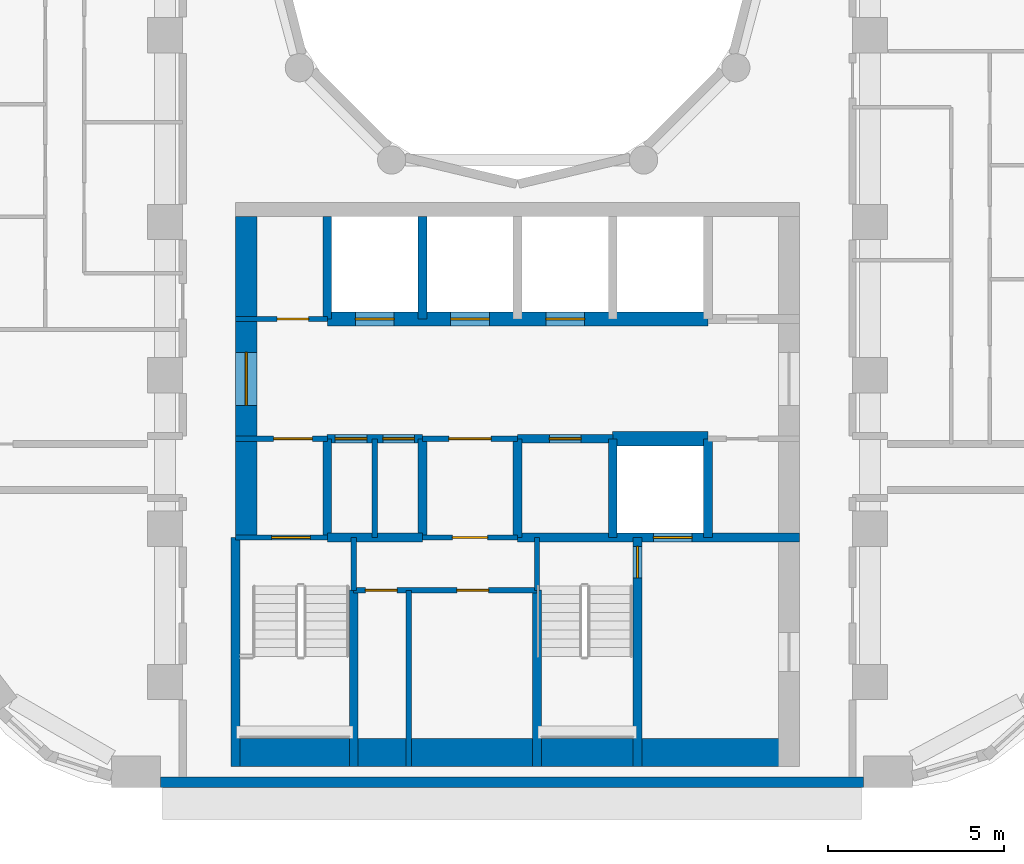
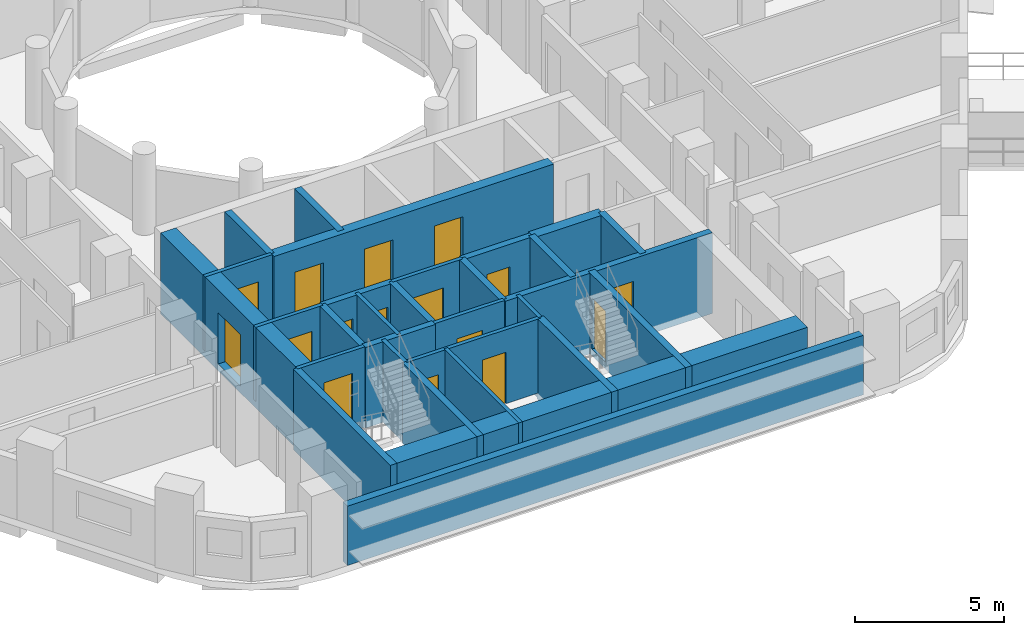
# One storey, part 3 of 14: 30 walls, 16 doors, 16 openings.
"""IFC4 building model written with IfcOpenShell, lengths in metres."""

from ifc_helpers import new_model, si_unit, direction, frame, frame_2d, origin, place, context, subcontext, project, spatial, rectangle, extrude, material, layer, layer_set, type_object, element, fill, save


model = new_model("IFC4")

# Units and contexts
model_context = context("Model", 3, precision=1e-05, world=origin(), true_north=direction((0.0, 1.0)))
body_context = subcontext(model_context, "Body", "Model", "MODEL_VIEW")
ifc_project = project(units=[si_unit("LENGTHUNIT", "METRE"), si_unit("AREAUNIT", "SQUARE_METRE"), si_unit("VOLUMEUNIT", "CUBIC_METRE"), si_unit("PLANEANGLEUNIT", "RADIAN"), si_unit("MASSUNIT", "GRAM", prefix="KILO")], contexts=[model_context])

# Site, building, storey
site_placement = place(None, origin())
site = spatial("IfcSite", under=ifc_project, at=site_placement, CompositionType="ELEMENT")
building_placement = place(site_placement, origin())
building = spatial("IfcBuilding", under=site, at=building_placement, Name="Nakaniwa Court", CompositionType="ELEMENT")
storey_placement = place(building_placement, frame((0.0, 0.0, 107.39990234375)))
storey = spatial("IfcBuildingStorey", under=building, at=storey_placement, Name="L28", CompositionType="ELEMENT", Elevation=107.39990234375)

# Wall
ifc_material_1 = material(Name="Charcoal ceramic cladding")
ifc_layer_1 = layer(ifc_material_1, 0.02, Name="Ceramic cladding")
ifc_material_2 = material(Name="Ventilated air cavity")
ifc_layer_2 = layer(ifc_material_2, 0.04, ventilated=True, Name="Ventilated cavity")
ifc_material_3 = material(Name="Mineral wool insulation")
ifc_layer_3 = layer(ifc_material_3, 0.1, Name="Insulation")
ifc_material_4 = material(Name="Cement bonded sheathing board")
ifc_layer_4 = layer(ifc_material_4, 0.012, Name="Sheathing")
ifc_material_5 = material(Name="Cold-formed galvanised stud frame with mineral wool infill")
ifc_layer_5 = layer(ifc_material_5, 0.1, Name="Stud frame")
ifc_material_6 = material(Name="Fire-rated gypsum plasterboard lining")
ifc_layer_6 = layer(ifc_material_6, 0.028, Name="Lining")
ifc_layer_set_1 = layer_set([ifc_layer_1, ifc_layer_2, ifc_layer_3, ifc_layer_4, ifc_layer_5, ifc_layer_6], Name="Charcoal ceramic faced external wall system")
wall_type_1 = type_object("IfcWallType", Name="Black ceramic faced external wall 300", PredefinedType="SOLIDWALL", material=ifc_layer_set_1)
wall_1_placement = place(storey_placement, frame((69.871337890625, 56.14990234375, 0.0), z_axis=(0.0, 0.0, 1.0), x_axis=(1.0, 0.0, 0.0)))
element("IfcWall", 1, at=wall_1_placement, inside=storey, type_object=wall_type_1, Name="L28 external wall 26", PredefinedType="SOLIDWALL", context=body_context, shape_type="SweptSolid", body=[
    extrude(rectangle(XDim=19.939697265625, YDim=0.300048828125, at=frame_2d((9.9697265625, 0.0))), origin(), (0.0, 0.0, 1.0), 2.425048828125),
])

# Wall, opening, door
ifc_material_7 = material(Name="Blockwork partition", Category="masonry")
ifc_layer_7 = layer(ifc_material_7, 0.14990234375)
ifc_layer_set_2 = layer_set([ifc_layer_7], Name="Blockwork partition")
wall_type_2 = type_object("IfcWallType", Name="Blockwork partition 150", PredefinedType="PARTITIONING", material=ifc_layer_set_2)
wall_2_placement = place(storey_placement, frame((72.0, 69.300048828125, 0.0), z_axis=(0.0, 0.0, 1.0), x_axis=(1.0, 0.0, 0.0)))
wall_2 = element("IfcWall", 2, at=wall_2_placement, inside=storey, type_object=wall_type_2, Name="Partition PW-037", PredefinedType="PARTITIONING", context=body_context, shape_type="SweptSolid", body=[
    extrude(rectangle(XDim=2.60009765625, YDim=0.14990234375, at=frame_2d((1.300048828125, 0.0))), origin(), (0.0, 0.0, 1.0), 3.025146484375),
])
opening_1_placement = place(wall_2_placement, frame((1.175048828125, 0.0, 0.0)))
opening_1 = element("IfcOpeningElement", 3, at=opening_1_placement, cuts=wall_2, Name="Opening D-05-09", PredefinedType="OPENING", context=body_context, shape_type="SweptSolid", body=[
    extrude(rectangle(XDim=0.89990234375, YDim=2.10009765625, at=frame_2d((0.449951171875, 1.050048828125))), frame((0.0, 0.0849609375, 0.0), z_axis=(0.0, -1.0, 0.0), x_axis=(1.0, 0.0, 0.0)), (0.0, 0.0, 1.0), 0.169921875),
])
ifc_material_8 = material(Name="Fire rated steel door set", Category="steel")
door_type_1 = type_object("IfcDoorType", Name="Service room door 900", OperationType="NOTDEFINED", PredefinedType="DOOR", material=ifc_material_8)
door_1_placement = place(opening_1_placement, origin())
door_1 = element("IfcDoor", 4, at=door_1_placement, inside=storey, type_object=door_type_1, Name="Door D-05-09 L28-014", OperationType="SINGLE_SWING_LEFT", OverallHeight=2.10009765625, OverallWidth=0.89990234375, PredefinedType="DOOR", context=body_context, shape_type="SweptSolid", body=[
    extrude(rectangle(XDim=0.89990234375, YDim=2.10009765625, at=frame_2d((0.449951171875, 1.050048828125))), frame((0.0, 0.02490234375, 0.0), z_axis=(0.0, -1.0, 0.0), x_axis=(1.0, 0.0, 0.0)), (0.0, 0.0, 1.0), 0.050048828125),
])
fill(opening_1, door_1)

wall_3_placement = place(storey_placement, frame((74.60302734375, 65.89990234375, 0.0), z_axis=(0.0, 0.0, 1.0), x_axis=(-1.0, 0.0, 0.0)))
wall_3 = element("IfcWall", 5, at=wall_3_placement, inside=storey, type_object=wall_type_2, Name="Partition PW-050", PredefinedType="PARTITIONING", context=body_context, shape_type="SweptSolid", body=[
    extrude(rectangle(XDim=2.60302734375, YDim=0.14990234375, at=frame_2d((1.301513671875, 0.0))), origin(), (0.0, 0.0, 1.0), 3.025146484375),
])
opening_2_placement = place(wall_3_placement, frame((0.427978515625, 0.0, 0.0)))
opening_2 = element("IfcOpeningElement", 6, at=opening_2_placement, cuts=wall_3, Name="Opening D-08-02", PredefinedType="OPENING", context=body_context, shape_type="SweptSolid", body=[
    extrude(rectangle(XDim=1.10009765625, YDim=2.10009765625, at=frame_2d((0.550048828125, 1.050048828125))), frame((0.0, 0.0849609375, 0.0), z_axis=(0.0, -1.0, 0.0), x_axis=(1.0, 0.0, 0.0)), (0.0, 0.0, 1.0), 0.169921875),
])
door_type_2 = type_object("IfcDoorType", Name="Stair lobby door 1100", OperationType="NOTDEFINED", PredefinedType="DOOR", material=ifc_material_8)
door_2_placement = place(opening_2_placement, origin())
door_2 = element("IfcDoor", 7, at=door_2_placement, inside=storey, type_object=door_type_2, Name="Door D-08-02 L28-016", OperationType="SINGLE_SWING_LEFT", OverallHeight=2.10009765625, OverallWidth=1.10009765625, PredefinedType="DOOR", context=body_context, shape_type="SweptSolid", body=[
    extrude(rectangle(XDim=1.10009765625, YDim=2.10009765625, at=frame_2d((0.550048828125, 1.050048828125))), frame((0.0, 0.02490234375, 0.0), z_axis=(0.0, -1.0, 0.0), x_axis=(1.0, 0.0, 0.0)), (0.0, 0.0, 1.0), 0.050048828125),
])
fill(opening_2, door_2)

wall_4_placement = place(storey_placement, frame((80.0029296875, 65.89990234375, 0.0), z_axis=(0.0, 0.0, 1.0), x_axis=(-1.0, 0.0, 0.0)))
wall_4 = element("IfcWall", 8, at=wall_4_placement, inside=storey, type_object=wall_type_2, Name="Partition PW-051", PredefinedType="PARTITIONING", context=body_context, shape_type="SweptSolid", body=[
    extrude(rectangle(XDim=2.705810546875, YDim=0.14990234375, at=frame_2d((1.35302734375, 0.0))), origin(), (0.0, 0.0, 1.0), 3.025146484375),
])
opening_3_placement = place(wall_4_placement, frame((0.7529296875, 0.0, 0.0)))
opening_3 = element("IfcOpeningElement", 9, at=opening_3_placement, cuts=wall_4, Name="Opening D-06-02", PredefinedType="OPENING", context=body_context, shape_type="SweptSolid", body=[
    extrude(rectangle(XDim=1.199951171875, YDim=2.10009765625, at=frame_2d((0.60009765625, 1.050048828125))), frame((0.0, 0.0849609375, 0.0), z_axis=(0.0, -1.0, 0.0), x_axis=(1.0, 0.0, 0.0)), (0.0, 0.0, 1.0), 0.169921875),
])
ifc_material_9 = material(Name="Fire rated steel double door set", Category="steel")
door_type_3 = type_object("IfcDoorType", Name="Service passage double door 1200", OperationType="NOTDEFINED", PredefinedType="DOOR", material=ifc_material_9)
door_3_placement = place(opening_3_placement, origin())
door_3 = element("IfcDoor", 10, at=door_3_placement, inside=storey, type_object=door_type_3, Name="Door D-06-02 L28-019", OperationType="DOUBLE_DOOR_SINGLE_SWING", OverallHeight=2.10009765625, OverallWidth=1.199951171875, PredefinedType="DOOR", context=body_context, shape_type="SweptSolid", body=[
    extrude(rectangle(XDim=1.199951171875, YDim=2.10009765625, at=frame_2d((0.60009765625, 1.050048828125))), frame((0.0, 0.02490234375, 0.0), z_axis=(0.0, -1.0, 0.0), x_axis=(1.0, 0.0, 0.0)), (0.0, 0.0, 1.0), 0.050048828125),
])
fill(opening_3, door_3)

# Wall
wall_5_placement = place(storey_placement, frame((75.949951171875, 63.10009765625, 0.0), z_axis=(0.0, 0.0, 1.0), x_axis=(0.0, 1.0, 0.0)))
element("IfcWall", 11, at=wall_5_placement, inside=storey, type_object=wall_type_2, Name="Partition PW-057", PredefinedType="PARTITIONING", context=body_context, shape_type="SweptSolid", body=[
    extrude(rectangle(XDim=2.7998046875, YDim=0.14990234375, at=frame_2d((1.39990234375, 0.0))), origin(), (0.0, 0.0, 1.0), 3.025146484375),
])

# Wall, opening, door
wall_6_placement = place(storey_placement, frame((80.0, 63.10009765625, 0.0), z_axis=(0.0, 0.0, 1.0), x_axis=(-1.0, 0.0, 0.0)))
wall_6 = element("IfcWall", 12, at=wall_6_placement, inside=storey, type_object=wall_type_2, Name="Partition PW-060", PredefinedType="PARTITIONING", context=body_context, shape_type="SweptSolid", body=[
    extrude(rectangle(XDim=2.699951171875, YDim=0.14990234375, at=frame_2d((1.35009765625, 0.0))), origin(), (0.0, 0.0, 1.0), 3.025146484375),
])
opening_4_placement = place(wall_6_placement, frame((0.85009765625, 0.0, 0.0)))
opening_4 = element("IfcOpeningElement", 13, at=opening_4_placement, cuts=wall_6, Name="Opening D-23-02", PredefinedType="OPENING", context=body_context, shape_type="SweptSolid", body=[
    extrude(rectangle(XDim=1.0, YDim=2.10009765625, at=frame_2d((0.5, 1.050048828125))), frame((0.0, 0.0849609375, 0.0), z_axis=(0.0, -1.0, 0.0), x_axis=(1.0, 0.0, 0.0)), (0.0, 0.0, 1.0), 0.169921875),
])
door_type_4 = type_object("IfcDoorType", Name="Service room door 1000", OperationType="NOTDEFINED", PredefinedType="DOOR", material=ifc_material_8)
door_4_placement = place(opening_4_placement, origin())
door_4 = element("IfcDoor", 14, at=door_4_placement, inside=storey, type_object=door_type_4, Name="Door D-23-02 L28-022", OperationType="SINGLE_SWING_LEFT", OverallHeight=2.10009765625, OverallWidth=1.0, PredefinedType="DOOR", context=body_context, shape_type="SweptSolid", body=[
    extrude(rectangle(XDim=1.0, YDim=2.10009765625, at=frame_2d((0.5, 1.050048828125))), frame((0.0, 0.02490234375, 0.0), z_axis=(0.0, -1.0, 0.0), x_axis=(1.0, 0.0, 0.0)), (0.0, 0.0, 1.0), 0.050048828125),
])
fill(opening_4, door_4)

# Wall, openings, doors
wall_7_placement = place(storey_placement, frame((80.550048828125, 61.60009765625, 0.0), z_axis=(0.0, 0.0, 1.0), x_axis=(-1.0, 0.0, 0.0)))
wall_7 = element("IfcWall", 15, at=wall_7_placement, inside=storey, type_object=wall_type_2, Name="Partition PW-067", PredefinedType="PARTITIONING", context=body_context, shape_type="SweptSolid", body=[
    extrude(rectangle(XDim=5.199951171875, YDim=0.14990234375, at=frame_2d((2.60009765625, 0.0))), origin(), (0.0, 0.0, 1.0), 3.025146484375),
])
opening_5_placement = place(wall_7_placement, frame((3.969970703125, 0.0, 0.0)))
opening_5 = element("IfcOpeningElement", 16, at=opening_5_placement, cuts=wall_7, Name="Opening D-05-15", PredefinedType="OPENING", context=body_context, shape_type="SweptSolid", body=[
    extrude(rectangle(XDim=0.89990234375, YDim=2.10009765625, at=frame_2d((0.449951171875, 1.050048828125))), frame((0.0, 0.0849609375, 0.0), z_axis=(0.0, -1.0, 0.0), x_axis=(1.0, 0.0, 0.0)), (0.0, 0.0, 1.0), 0.169921875),
])
opening_6_placement = place(wall_7_placement, frame((1.3701171875, 0.0, 0.0)))
opening_6 = element("IfcOpeningElement", 17, at=opening_6_placement, cuts=wall_7, Name="Opening D-05-16", PredefinedType="OPENING", context=body_context, shape_type="SweptSolid", body=[
    extrude(rectangle(XDim=0.89990234375, YDim=2.10009765625, at=frame_2d((0.449951171875, 1.050048828125))), frame((0.0, 0.0849609375, 0.0), z_axis=(0.0, -1.0, 0.0), x_axis=(1.0, 0.0, 0.0)), (0.0, 0.0, 1.0), 0.169921875),
])
door_5_placement = place(opening_5_placement, origin())
door_5 = element("IfcDoor", 18, at=door_5_placement, inside=storey, type_object=door_type_1, Name="Door D-05-15 L28-023", OperationType="SINGLE_SWING_RIGHT", OverallHeight=2.10009765625, OverallWidth=0.89990234375, PredefinedType="DOOR", context=body_context, shape_type="SweptSolid", body=[
    extrude(rectangle(XDim=0.89990234375, YDim=2.10009765625, at=frame_2d((0.449951171875, 1.050048828125))), frame((0.0, 0.02490234375, 0.0), z_axis=(0.0, -1.0, 0.0), x_axis=(1.0, 0.0, 0.0)), (0.0, 0.0, 1.0), 0.050048828125),
])
fill(opening_5, door_5)
door_6_placement = place(opening_6_placement, origin())
door_6 = element("IfcDoor", 19, at=door_6_placement, inside=storey, type_object=door_type_1, Name="Door D-05-16 L28-024", OperationType="SINGLE_SWING_LEFT", OverallHeight=2.10009765625, OverallWidth=0.89990234375, PredefinedType="DOOR", context=body_context, shape_type="SweptSolid", body=[
    extrude(rectangle(XDim=0.89990234375, YDim=2.10009765625, at=frame_2d((0.449951171875, 1.050048828125))), frame((0.0, 0.02490234375, 0.0), z_axis=(0.0, -1.0, 0.0), x_axis=(1.0, 0.0, 0.0)), (0.0, 0.0, 1.0), 0.050048828125),
])
fill(opening_6, door_6)

# Wall
wall_8_placement = place(storey_placement, frame((76.909912109375, 56.60009765625, 0.0), z_axis=(0.0, 0.0, 1.0), x_axis=(0.0, 1.0, 0.0)))
element("IfcWall", 20, at=wall_8_placement, inside=storey, type_object=wall_type_2, Name="Partition PW-068", PredefinedType="PARTITIONING", context=body_context, shape_type="SweptSolid", body=[
    extrude(rectangle(XDim=5.0, YDim=0.14990234375, at=frame_2d((2.5, 0.0))), origin(), (0.0, 0.0, 1.0), 3.025146484375),
])

# Wall, opening, door
ifc_material_10 = material(Name="Concrete C80/100", Category="concrete")
ifc_layer_8 = layer(ifc_material_10, 0.60009765625)
ifc_layer_set_3 = layer_set([ifc_layer_8], Name="Concrete C80/100")
wall_type_3 = type_object("IfcWallType", Name="Concrete core side wall 600 C80", PredefinedType="SHEAR", material=ifc_layer_set_3)
wall_9_placement = place(storey_placement, frame((72.300048828125, 63.10009765625, -0.27490234375), z_axis=(0.0, 0.0, 1.0), x_axis=(0.0, 1.0, 0.0)))
wall_9 = element("IfcWall", 21, at=wall_9_placement, inside=storey, type_object=wall_type_3, Name="Core wall SW-38", PredefinedType="SHEAR", context=body_context, shape_type="SweptSolid", body=[
    extrude(rectangle(XDim=9.099853515625, YDim=0.60009765625, at=frame_2d((4.5498046875, 0.0))), origin(), (0.0, 0.0, 1.0), 3.300048828125),
])
opening_7_placement = place(wall_9_placement, frame((3.75, 0.0, 0.27490234375)))
opening_7 = element("IfcOpeningElement", 22, at=opening_7_placement, cuts=wall_9, Name="Opening D-07-04", PredefinedType="OPENING", context=body_context, shape_type="SweptSolid", body=[
    extrude(rectangle(XDim=1.5, YDim=2.10009765625, at=frame_2d((0.75, 1.050048828125))), frame((0.0, 0.31005859375, 0.0), z_axis=(0.0, -1.0, 0.0), x_axis=(1.0, 0.0, 0.0)), (0.0, 0.0, 1.0), 0.6201171875),
])
ifc_material_11 = material(Name="Glazed fire rated steel double door set", Category="steel")
door_type_5 = type_object("IfcDoorType", Name="Lobby double door 1500", OperationType="NOTDEFINED", PredefinedType="DOOR", material=ifc_material_11)
door_7_placement = place(opening_7_placement, origin())
door_7 = element("IfcDoor", 23, at=door_7_placement, inside=storey, type_object=door_type_5, Name="Door D-07-04 L28-058", OperationType="DOUBLE_DOOR_SINGLE_SWING", OverallHeight=2.10009765625, OverallWidth=1.5, PredefinedType="DOOR", context=body_context, shape_type="SweptSolid", body=[
    extrude(rectangle(XDim=1.5, YDim=2.10009765625, at=frame_2d((0.75, 1.050048828125))), frame((0.0, 0.02490234375, 0.0), z_axis=(0.0, -1.0, 0.0), x_axis=(1.0, 0.0, 0.0)), (0.0, 0.0, 1.0), 0.050048828125),
])
fill(opening_7, door_7)

# Wall, openings, doors
ifc_layer_9 = layer(ifc_material_10, 0.39990234375)
ifc_layer_set_4 = layer_set([ifc_layer_9], Name="Concrete C80/100")
wall_type_4 = type_object("IfcWallType", Name="Concrete core spine wall 400 C80", PredefinedType="SHEAR", material=ifc_layer_set_4)
wall_10_placement = place(storey_placement, frame((74.60009765625, 69.300048828125, -0.27490234375), z_axis=(0.0, 0.0, 1.0), x_axis=(1.0, 0.0, 0.0)))
wall_10 = element("IfcWall", 24, at=wall_10_placement, inside=storey, type_object=wall_type_4, Name="Core wall SW-41", PredefinedType="SHEAR", context=body_context, shape_type="SweptSolid", body=[
    extrude(rectangle(XDim=10.7998046875, YDim=0.39990234375, at=frame_2d((5.39990234375, 0.0))), origin(), (0.0, 0.0, 1.0), 3.300048828125),
])
opening_8_placement = place(wall_10_placement, frame((0.800048828125, 0.0, 0.27490234375)))
opening_8 = element("IfcOpeningElement", 25, at=opening_8_placement, cuts=wall_10, Name="Opening LD05", PredefinedType="OPENING", context=body_context, shape_type="SweptSolid", body=[
    extrude(rectangle(XDim=1.10009765625, YDim=2.10009765625, at=frame_2d((0.550048828125, 1.050048828125))), frame((0.0, 0.2099609375, 0.0), z_axis=(0.0, -1.0, 0.0), x_axis=(1.0, 0.0, 0.0)), (0.0, 0.0, 1.0), 0.419921875),
])
opening_9_placement = place(wall_10_placement, frame((3.5, 0.0, 0.27490234375)))
opening_9 = element("IfcOpeningElement", 26, at=opening_9_placement, cuts=wall_10, Name="Opening LD06", PredefinedType="OPENING", context=body_context, shape_type="SweptSolid", body=[
    extrude(rectangle(XDim=1.10009765625, YDim=2.10009765625, at=frame_2d((0.550048828125, 1.050048828125))), frame((0.0, 0.2099609375, 0.0), z_axis=(0.0, -1.0, 0.0), x_axis=(1.0, 0.0, 0.0)), (0.0, 0.0, 1.0), 0.419921875),
])
opening_10_placement = place(wall_10_placement, frame((6.199951171875, 0.0, 0.27490234375)))
opening_10 = element("IfcOpeningElement", 27, at=opening_10_placement, cuts=wall_10, Name="Opening LD07", PredefinedType="OPENING", context=body_context, shape_type="SweptSolid", body=[
    extrude(rectangle(XDim=1.10009765625, YDim=2.10009765625, at=frame_2d((0.550048828125, 1.050048828125))), frame((0.0, 0.2099609375, 0.0), z_axis=(0.0, -1.0, 0.0), x_axis=(1.0, 0.0, 0.0)), (0.0, 0.0, 1.0), 0.419921875),
])
ifc_material_12 = material(Name="Stainless steel sliding lift landing door", Category="steel")
door_type_6 = type_object("IfcDoorType", Name="Lift landing door 1100", OperationType="NOTDEFINED", PredefinedType="DOOR", material=ifc_material_12)
door_8_placement = place(opening_8_placement, origin())
door_8 = element("IfcDoor", 28, at=door_8_placement, inside=storey, type_object=door_type_6, Name="Lift landing door LD05 L28-005", OperationType="SLIDING_TO_LEFT", OverallHeight=2.10009765625, OverallWidth=1.10009765625, PredefinedType="DOOR", context=body_context, shape_type="SweptSolid", body=[
    extrude(rectangle(XDim=1.10009765625, YDim=2.10009765625, at=frame_2d((0.550048828125, 1.050048828125))), frame((0.0, 0.02490234375, 0.0), z_axis=(0.0, -1.0, 0.0), x_axis=(1.0, 0.0, 0.0)), (0.0, 0.0, 1.0), 0.050048828125),
])
fill(opening_8, door_8)
door_9_placement = place(opening_9_placement, origin())
door_9 = element("IfcDoor", 29, at=door_9_placement, inside=storey, type_object=door_type_6, Name="Lift landing door LD06 L28-006", OperationType="SLIDING_TO_LEFT", OverallHeight=2.10009765625, OverallWidth=1.10009765625, PredefinedType="DOOR", context=body_context, shape_type="SweptSolid", body=[
    extrude(rectangle(XDim=1.10009765625, YDim=2.10009765625, at=frame_2d((0.550048828125, 1.050048828125))), frame((0.0, 0.02490234375, 0.0), z_axis=(0.0, -1.0, 0.0), x_axis=(1.0, 0.0, 0.0)), (0.0, 0.0, 1.0), 0.050048828125),
])
fill(opening_9, door_9)
door_10_placement = place(opening_10_placement, origin())
door_10 = element("IfcDoor", 30, at=door_10_placement, inside=storey, type_object=door_type_6, Name="Lift landing door LD07 L28-007", OperationType="SLIDING_TO_LEFT", OverallHeight=2.10009765625, OverallWidth=1.10009765625, PredefinedType="DOOR", context=body_context, shape_type="SweptSolid", body=[
    extrude(rectangle(XDim=1.10009765625, YDim=2.10009765625, at=frame_2d((0.550048828125, 1.050048828125))), frame((0.0, 0.02490234375, 0.0), z_axis=(0.0, -1.0, 0.0), x_axis=(1.0, 0.0, 0.0)), (0.0, 0.0, 1.0), 0.050048828125),
])
fill(opening_10, door_10)

# Wall
wall_11_placement = place(storey_placement, frame((82.697021484375, 65.89990234375, -0.27490234375), z_axis=(0.0, 0.0, 1.0), x_axis=(1.0, 0.0, 0.0)))
element("IfcWall", 31, at=wall_11_placement, inside=storey, type_object=wall_type_4, Name="Core wall SW-55", PredefinedType="SHEAR", context=body_context, shape_type="SweptSolid", body=[
    extrude(rectangle(XDim=2.7060546875, YDim=0.39990234375, at=frame_2d((1.35302734375, 0.0))), origin(), (0.0, 0.0, 1.0), 3.300048828125),
])

# Wall, opening, door
ifc_layer_10 = layer(ifc_material_10, 0.14990234375)
ifc_layer_set_5 = layer_set([ifc_layer_10], Name="Concrete C80/100")
wall_type_5 = type_object("IfcWallType", Name="Concrete core wall 150 C80", PredefinedType="SHEAR", material=ifc_layer_set_5)
wall_12_placement = place(storey_placement, frame((72.0, 63.10009765625, -0.27490234375), z_axis=(0.0, 0.0, 1.0), x_axis=(1.0, 0.0, 0.0)))
wall_12 = element("IfcWall", 32, at=wall_12_placement, inside=storey, type_object=wall_type_5, Name="Core wall SW-56", PredefinedType="SHEAR", context=body_context, shape_type="SweptSolid", body=[
    extrude(rectangle(XDim=2.60009765625, YDim=0.14990234375, at=frame_2d((1.300048828125, 0.0))), origin(), (0.0, 0.0, 1.0), 3.300048828125),
])
opening_11_placement = place(wall_12_placement, frame((1.02001953125, 0.0, 0.27490234375)))
opening_11 = element("IfcOpeningElement", 33, at=opening_11_placement, cuts=wall_12, Name="Opening D-09-02", PredefinedType="OPENING", context=body_context, shape_type="SweptSolid", body=[
    extrude(rectangle(XDim=1.10009765625, YDim=2.10009765625, at=frame_2d((0.550048828125, 1.050048828125))), frame((0.0, 0.0849609375, 0.0), z_axis=(0.0, -1.0, 0.0), x_axis=(1.0, 0.0, 0.0)), (0.0, 0.0, 1.0), 0.169921875),
])
door_type_7 = type_object("IfcDoorType", Name="Stair door 1100", OperationType="NOTDEFINED", PredefinedType="DOOR", material=ifc_material_8)
door_11_placement = place(opening_11_placement, origin())
door_11 = element("IfcDoor", 34, at=door_11_placement, inside=storey, type_object=door_type_7, Name="Door D-09-02 L28-025", OperationType="SINGLE_SWING_LEFT", OverallHeight=2.10009765625, OverallWidth=1.10009765625, PredefinedType="DOOR", context=body_context, shape_type="SweptSolid", body=[
    extrude(rectangle(XDim=1.10009765625, YDim=2.10009765625, at=frame_2d((0.550048828125, 1.050048828125))), frame((0.0, 0.02490234375, 0.0), z_axis=(0.0, -1.0, 0.0), x_axis=(1.0, 0.0, 0.0)), (0.0, 0.0, 1.0), 0.050048828125),
])
fill(opening_11, door_11)

# Walls
for number, where, z_axis, x_axis, name in (
    (35, (75.35009765625, 61.596923828125, -0.27490234375), (0.0, 0.0, 1.0), (0.0, 1.0, 0.0), "Core wall SW-61"),
    (36, (80.550048828125, 61.596923828125, -0.27490234375), (0.0, 0.0, 1.0), (0.0, 1.0, 0.0), "Core wall SW-65"),
):
    element("IfcWall", number, at=place(storey_placement, frame(where, z_axis=z_axis, x_axis=x_axis)), inside=storey, type_object=wall_type_5, Name=name, PredefinedType="SHEAR", context=body_context, shape_type="SweptSolid", body=[
        extrude(rectangle(XDim=1.503173828125, YDim=0.14990234375, at=frame_2d((0.75146484375, 0.0))), origin(), (0.0, 0.0, 1.0), 3.300048828125),
    ])
ifc_layer_11 = layer(ifc_material_10, 0.25)
ifc_layer_set_6 = layer_set([ifc_layer_11], Name="Concrete C80/100")
wall_type_6 = type_object("IfcWallType", Name="Concrete core wall 250 C80", PredefinedType="SHEAR", material=ifc_layer_set_6)
wall_13_placement = place(storey_placement, frame((72.0, 56.60009765625, -0.27490234375), z_axis=(0.0, 0.0, 1.0), x_axis=(0.0, 1.0, 0.0)))
element("IfcWall", 37, at=wall_13_placement, inside=storey, type_object=wall_type_6, Name="Core wall SW-63", PredefinedType="SHEAR", context=body_context, shape_type="SweptSolid", body=[
    extrude(rectangle(XDim=6.5, YDim=0.25, at=frame_2d((3.25, 0.0))), origin(), (0.0, 0.0, 1.0), 3.300048828125),
])
ifc_layer_12 = layer(ifc_material_10, 0.800048828125)
ifc_layer_set_7 = layer_set([ifc_layer_12], Name="Concrete C80/100")
wall_type_7 = type_object("IfcWallType", Name="Concrete core wall 800 C80", PredefinedType="SHEAR", material=ifc_layer_set_7)
wall_14_placement = place(storey_placement, frame((72.00390625, 57.0, -0.27490234375), z_axis=(0.0, 0.0, 1.0), x_axis=(1.0, 0.0, 0.0)))
element("IfcWall", 38, at=wall_14_placement, inside=storey, type_object=wall_type_7, Name="Core wall SW-135", PredefinedType="SHEAR", context=body_context, shape_type="SweptSolid", body=[
    extrude(rectangle(XDim=15.9921875, YDim=0.800048828125, at=frame_2d((7.99609375, 0.0))), origin(), (0.0, 0.0, 1.0), 3.300048828125),
])
ifc_layer_13 = layer(ifc_material_10, 0.25)
ifc_layer_set_8 = layer_set([ifc_layer_13], Name="Concrete C80/100")
wall_type_8 = type_object("IfcWallType", Name="Concrete shaft wall 250 C80", PredefinedType="SHEAR", material=ifc_layer_set_8)
wall_15_placement = place(storey_placement, frame((74.60009765625, 63.10009765625, -0.27490234375), z_axis=(0.0, 0.0, 1.0), x_axis=(0.0, 1.0, 0.0)))
element("IfcWall", 39, at=wall_15_placement, inside=storey, type_object=wall_type_8, Name="Core wall SW-35", PredefinedType="SHEAR", context=body_context, shape_type="SweptSolid", body=[
    extrude(rectangle(XDim=2.7998046875, YDim=0.25, at=frame_2d((1.39990234375, 0.0))), origin(), (0.0, 0.0, 1.0), 3.300048828125),
])
wall_16_placement = place(storey_placement, frame((74.60009765625, 69.300048828125, -0.27490234375), z_axis=(0.0, 0.0, 1.0), x_axis=(0.0, 1.0, 0.0)))
element("IfcWall", 40, at=wall_16_placement, inside=storey, type_object=wall_type_8, Name="Core wall SW-36", PredefinedType="SHEAR", context=body_context, shape_type="SweptSolid", body=[
    extrude(rectangle(XDim=2.89990234375, YDim=0.25, at=frame_2d((1.449951171875, 0.0))), origin(), (0.0, 0.0, 1.0), 3.300048828125),
])
wall_17_placement = place(storey_placement, frame((77.300048828125, 63.10009765625, -0.27490234375), z_axis=(0.0, 0.0, 1.0), x_axis=(0.0, 1.0, 0.0)))
element("IfcWall", 41, at=wall_17_placement, inside=storey, type_object=wall_type_8, Name="Core wall SW-39", PredefinedType="SHEAR", context=body_context, shape_type="SweptSolid", body=[
    extrude(rectangle(XDim=2.7998046875, YDim=0.25, at=frame_2d((1.39990234375, 0.0))), origin(), (0.0, 0.0, 1.0), 3.300048828125),
])
wall_18_placement = place(storey_placement, frame((77.300048828125, 69.300048828125, -0.27490234375), z_axis=(0.0, 0.0, 1.0), x_axis=(0.0, 1.0, 0.0)))
element("IfcWall", 42, at=wall_18_placement, inside=storey, type_object=wall_type_8, Name="Core wall SW-40", PredefinedType="SHEAR", context=body_context, shape_type="SweptSolid", body=[
    extrude(rectangle(XDim=2.89990234375, YDim=0.25, at=frame_2d((1.449951171875, 0.0))), origin(), (0.0, 0.0, 1.0), 3.300048828125),
])
for number, where, z_axis, x_axis, name in (
    (43, (80.0, 63.10009765625, -0.27490234375), (0.0, 0.0, 1.0), (0.0, 1.0, 0.0), "Core wall SW-42"),
    (44, (82.699951171875, 63.10009765625, -0.27490234375), (0.0, 0.0, 1.0), (0.0, 1.0, 0.0), "Core wall SW-44"),
    (45, (85.39990234375, 63.10009765625, -0.27490234375), (0.0, 0.0, 1.0), (0.0, 1.0, 0.0), "Core wall SW-46"),
):
    element("IfcWall", number, at=place(storey_placement, frame(where, z_axis=z_axis, x_axis=x_axis)), inside=storey, type_object=wall_type_8, Name=name, PredefinedType="SHEAR", context=body_context, shape_type="SweptSolid", body=[
        extrude(rectangle(XDim=2.7998046875, YDim=0.25, at=frame_2d((1.39990234375, 0.0))), origin(), (0.0, 0.0, 1.0), 3.300048828125),
    ])

# Wall, openings, doors
wall_19_placement = place(storey_placement, frame((77.302978515625, 65.89990234375, -0.27490234375), z_axis=(0.0, 0.0, 1.0), x_axis=(-1.0, 0.0, 0.0)))
wall_19 = element("IfcWall", 46, at=wall_19_placement, inside=storey, type_object=wall_type_8, Name="Core wall SW-53", PredefinedType="SHEAR", context=body_context, shape_type="SweptSolid", body=[
    extrude(rectangle(XDim=2.7060546875, YDim=0.25, at=frame_2d((1.35302734375, 0.0))), origin(), (0.0, 0.0, 1.0), 3.300048828125),
])
opening_12_placement = place(wall_19_placement, frame((1.577880859375, 0.0, 0.27490234375)))
opening_12 = element("IfcOpeningElement", 47, at=opening_12_placement, cuts=wall_19, Name="Opening D-05-11", PredefinedType="OPENING", context=body_context, shape_type="SweptSolid", body=[
    extrude(rectangle(XDim=0.89990234375, YDim=2.10009765625, at=frame_2d((0.449951171875, 1.050048828125))), frame((0.0, 0.135009765625, 0.0), z_axis=(0.0, -1.0, 0.0), x_axis=(1.0, 0.0, 0.0)), (0.0, 0.0, 1.0), 0.27001953125),
])
opening_13_placement = place(wall_19_placement, frame((0.22802734375, 0.0, 0.27490234375)))
opening_13 = element("IfcOpeningElement", 48, at=opening_13_placement, cuts=wall_19, Name="Opening D-05-12", PredefinedType="OPENING", context=body_context, shape_type="SweptSolid", body=[
    extrude(rectangle(XDim=0.89990234375, YDim=2.10009765625, at=frame_2d((0.449951171875, 1.050048828125))), frame((0.0, 0.135009765625, 0.0), z_axis=(0.0, -1.0, 0.0), x_axis=(1.0, 0.0, 0.0)), (0.0, 0.0, 1.0), 0.27001953125),
])
door_12_placement = place(opening_12_placement, origin())
door_12 = element("IfcDoor", 49, at=door_12_placement, inside=storey, type_object=door_type_1, Name="Door D-05-11 L28-017", OperationType="SINGLE_SWING_RIGHT", OverallHeight=2.10009765625, OverallWidth=0.89990234375, PredefinedType="DOOR", context=body_context, shape_type="SweptSolid", body=[
    extrude(rectangle(XDim=0.89990234375, YDim=2.10009765625, at=frame_2d((0.449951171875, 1.050048828125))), frame((0.0, 0.02490234375, 0.0), z_axis=(0.0, -1.0, 0.0), x_axis=(1.0, 0.0, 0.0)), (0.0, 0.0, 1.0), 0.050048828125),
])
fill(opening_12, door_12)
door_13_placement = place(opening_13_placement, origin())
door_13 = element("IfcDoor", 50, at=door_13_placement, inside=storey, type_object=door_type_1, Name="Door D-05-12 L28-018", OperationType="SINGLE_SWING_LEFT", OverallHeight=2.10009765625, OverallWidth=0.89990234375, PredefinedType="DOOR", context=body_context, shape_type="SweptSolid", body=[
    extrude(rectangle(XDim=0.89990234375, YDim=2.10009765625, at=frame_2d((0.449951171875, 1.050048828125))), frame((0.0, 0.02490234375, 0.0), z_axis=(0.0, -1.0, 0.0), x_axis=(1.0, 0.0, 0.0)), (0.0, 0.0, 1.0), 0.050048828125),
])
fill(opening_13, door_13)

# Wall, opening, door
wall_20_placement = place(storey_placement, frame((82.702880859375, 65.89990234375, -0.27490234375), z_axis=(0.0, 0.0, 1.0), x_axis=(-1.0, 0.0, 0.0)))
wall_20 = element("IfcWall", 51, at=wall_20_placement, inside=storey, type_object=wall_type_8, Name="Core wall SW-54", PredefinedType="SHEAR", context=body_context, shape_type="SweptSolid", body=[
    extrude(rectangle(XDim=2.705810546875, YDim=0.25, at=frame_2d((1.35302734375, 0.0))), origin(), (0.0, 0.0, 1.0), 3.300048828125),
])
opening_14_placement = place(wall_20_placement, frame((0.903076171875, 0.0, 0.27490234375)))
opening_14 = element("IfcOpeningElement", 52, at=opening_14_placement, cuts=wall_20, Name="Opening D-05-13", PredefinedType="OPENING", context=body_context, shape_type="SweptSolid", body=[
    extrude(rectangle(XDim=0.89990234375, YDim=2.10009765625, at=frame_2d((0.449951171875, 1.050048828125))), frame((0.0, 0.135009765625, 0.0), z_axis=(0.0, -1.0, 0.0), x_axis=(1.0, 0.0, 0.0)), (0.0, 0.0, 1.0), 0.27001953125),
])
door_14_placement = place(opening_14_placement, origin())
door_14 = element("IfcDoor", 53, at=door_14_placement, inside=storey, type_object=door_type_1, Name="Door D-05-13 L28-020", OperationType="SINGLE_SWING_LEFT", OverallHeight=2.10009765625, OverallWidth=0.89990234375, PredefinedType="DOOR", context=body_context, shape_type="SweptSolid", body=[
    extrude(rectangle(XDim=0.89990234375, YDim=2.10009765625, at=frame_2d((0.449951171875, 1.050048828125))), frame((0.0, 0.02490234375, 0.0), z_axis=(0.0, -1.0, 0.0), x_axis=(1.0, 0.0, 0.0)), (0.0, 0.0, 1.0), 0.050048828125),
])
fill(opening_14, door_14)

# Wall
wall_21_placement = place(storey_placement, frame((74.60009765625, 63.10009765625, -0.27490234375), z_axis=(0.0, 0.0, 1.0), x_axis=(1.0, 0.0, 0.0)))
element("IfcWall", 54, at=wall_21_placement, inside=storey, type_object=wall_type_8, Name="Core wall SW-58", PredefinedType="SHEAR", context=body_context, shape_type="SweptSolid", body=[
    extrude(rectangle(XDim=2.699951171875, YDim=0.25, at=frame_2d((1.35009765625, 0.0))), origin(), (0.0, 0.0, 1.0), 3.300048828125),
])

# Wall, opening, door
wall_22_placement = place(storey_placement, frame((80.0, 63.10009765625, -0.27490234375), z_axis=(0.0, 0.0, 1.0), x_axis=(1.0, 0.0, 0.0)))
wall_22 = element("IfcWall", 55, at=wall_22_placement, inside=storey, type_object=wall_type_8, Name="Core wall SW-59", PredefinedType="SHEAR", context=body_context, shape_type="SweptSolid", body=[
    extrude(rectangle(XDim=8.0, YDim=0.25, at=frame_2d((4.0, 0.0))), origin(), (0.0, 0.0, 1.0), 3.300048828125),
])
opening_15_placement = place(wall_22_placement, frame((3.84912109375, 0.0, 0.27490234375)))
opening_15 = element("IfcOpeningElement", 56, at=opening_15_placement, cuts=wall_22, Name="Opening LD08", PredefinedType="OPENING", context=body_context, shape_type="SweptSolid", body=[
    extrude(rectangle(XDim=1.10009765625, YDim=2.10009765625, at=frame_2d((0.550048828125, 1.050048828125))), frame((0.0, 0.135009765625, 0.0), z_axis=(0.0, -1.0, 0.0), x_axis=(1.0, 0.0, 0.0)), (0.0, 0.0, 1.0), 0.27001953125),
])
door_15_placement = place(opening_15_placement, origin())
door_15 = element("IfcDoor", 57, at=door_15_placement, inside=storey, type_object=door_type_6, Name="Lift landing door LD08 L28-008", OperationType="SLIDING_TO_LEFT", OverallHeight=2.10009765625, OverallWidth=1.10009765625, PredefinedType="DOOR", context=body_context, shape_type="SweptSolid", body=[
    extrude(rectangle(XDim=1.10009765625, YDim=2.10009765625, at=frame_2d((0.550048828125, 1.050048828125))), frame((0.0, 0.02490234375, 0.0), z_axis=(0.0, -1.0, 0.0), x_axis=(1.0, 0.0, 0.0)), (0.0, 0.0, 1.0), 0.050048828125),
])
fill(opening_15, door_15)

# Wall
wall_23_placement = place(storey_placement, frame((75.35009765625, 56.60009765625, -0.27490234375), z_axis=(0.0, 0.0, 1.0), x_axis=(0.0, 1.0, 0.0)))
element("IfcWall", 58, at=wall_23_placement, inside=storey, type_object=wall_type_8, Name="Core wall SW-62", PredefinedType="SHEAR", context=body_context, shape_type="SweptSolid", body=[
    extrude(rectangle(XDim=5.0029296875, YDim=0.25, at=frame_2d((2.50146484375, 0.0))), origin(), (0.0, 0.0, 1.0), 3.300048828125),
])

# Wall, opening, door
wall_24_placement = place(storey_placement, frame((83.39990234375, 63.10009765625, -0.27490234375), z_axis=(0.0, 0.0, 1.0), x_axis=(0.0, -1.0, 0.0)))
wall_24 = element("IfcWall", 59, at=wall_24_placement, inside=storey, type_object=wall_type_8, Name="Core wall SW-64", PredefinedType="SHEAR", context=body_context, shape_type="SweptSolid", body=[
    extrude(rectangle(XDim=6.5, YDim=0.25, at=frame_2d((3.25, 0.0))), origin(), (0.0, 0.0, 1.0), 3.300048828125),
])
opening_16_placement = place(wall_24_placement, frame((0.25, 0.0, 0.27490234375)))
opening_16 = element("IfcOpeningElement", 60, at=opening_16_placement, cuts=wall_24, Name="Opening D-11-02", PredefinedType="OPENING", context=body_context, shape_type="SweptSolid", body=[
    extrude(rectangle(XDim=0.89990234375, YDim=2.10009765625, at=frame_2d((0.449951171875, 1.050048828125))), frame((0.0, 0.135009765625, 0.0), z_axis=(0.0, -1.0, 0.0), x_axis=(1.0, 0.0, 0.0)), (0.0, 0.0, 1.0), 0.27001953125),
])
door_type_8 = type_object("IfcDoorType", Name="Stair door 900", OperationType="NOTDEFINED", PredefinedType="DOOR", material=ifc_material_8)
door_16_placement = place(opening_16_placement, origin())
door_16 = element("IfcDoor", 61, at=door_16_placement, inside=storey, type_object=door_type_8, Name="Door D-11-02 L28-026", OperationType="SINGLE_SWING_RIGHT", OverallHeight=2.10009765625, OverallWidth=0.89990234375, PredefinedType="DOOR", context=body_context, shape_type="SweptSolid", body=[
    extrude(rectangle(XDim=0.89990234375, YDim=2.10009765625, at=frame_2d((0.449951171875, 1.050048828125))), frame((0.0, 0.02490234375, 0.0), z_axis=(0.0, -1.0, 0.0), x_axis=(1.0, 0.0, 0.0)), (0.0, 0.0, 1.0), 0.050048828125),
])
fill(opening_16, door_16)

# Wall
wall_25_placement = place(storey_placement, frame((80.550048828125, 56.60009765625, -0.27490234375), z_axis=(0.0, 0.0, 1.0), x_axis=(0.0, 1.0, 0.0)))
element("IfcWall", 62, at=wall_25_placement, inside=storey, type_object=wall_type_8, Name="Core wall SW-66", PredefinedType="SHEAR", context=body_context, shape_type="SweptSolid", body=[
    extrude(rectangle(XDim=5.0029296875, YDim=0.25, at=frame_2d((2.50146484375, 0.0))), origin(), (0.0, 0.0, 1.0), 3.300048828125),
])

save(model, "model.ifc")
